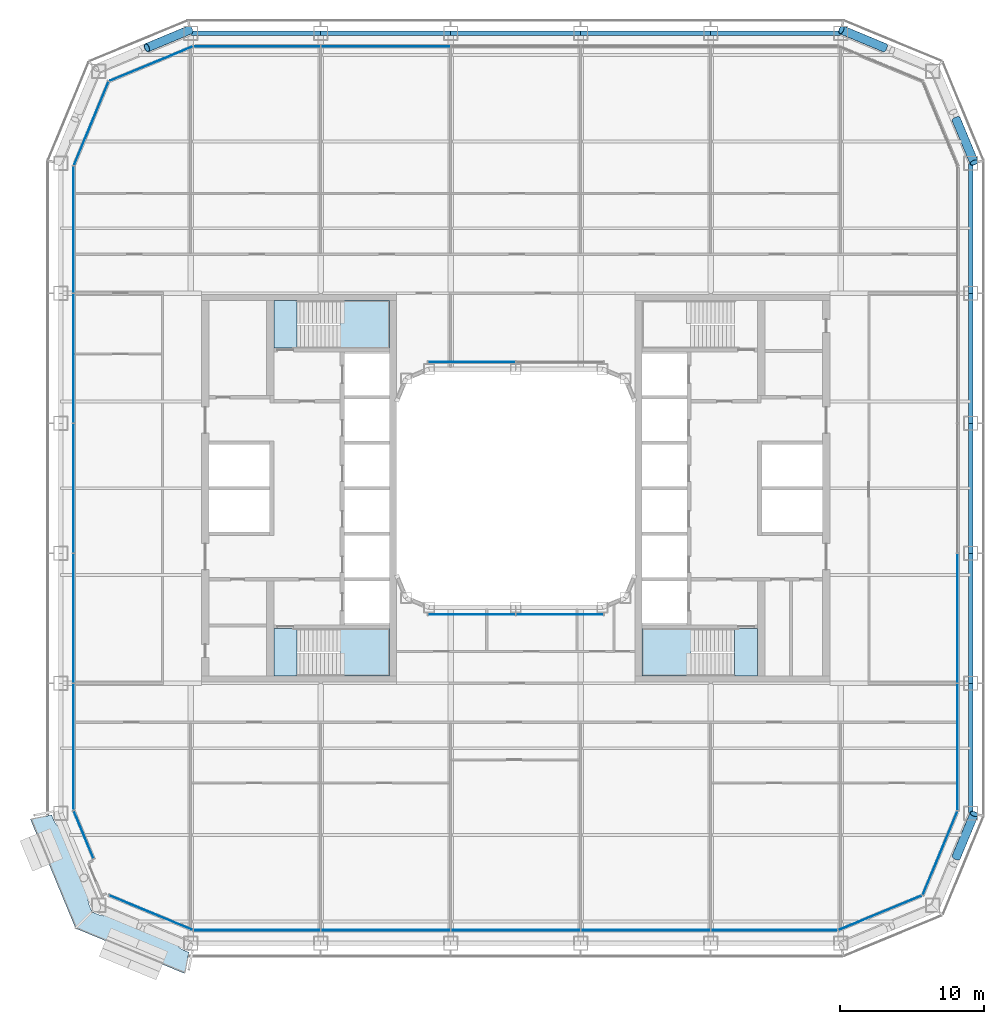
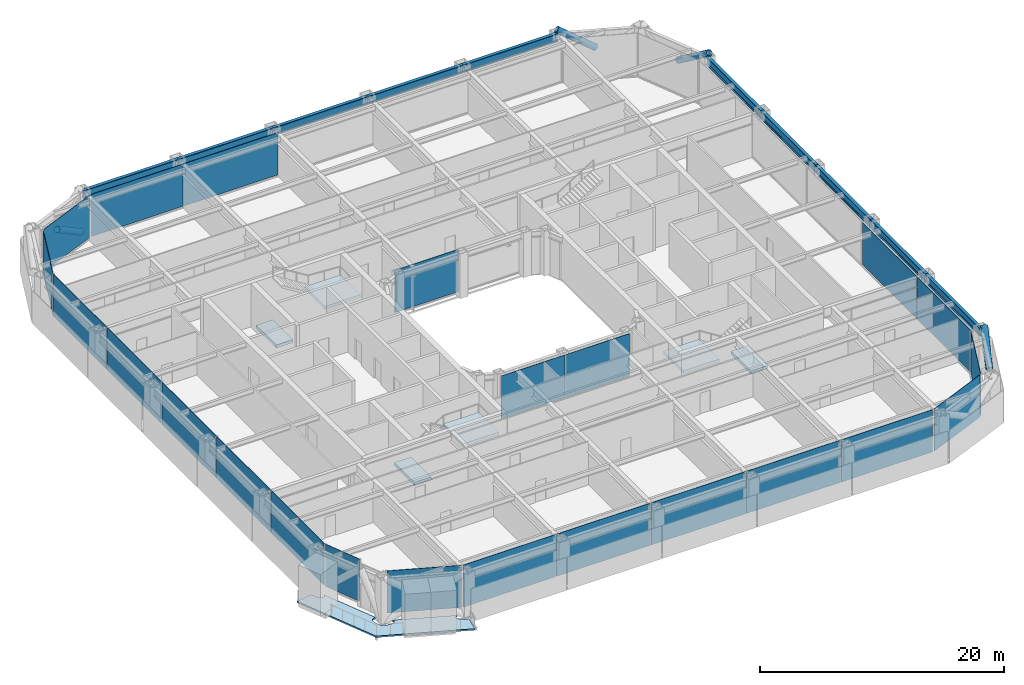
# One storey, part 11 of 27: 23 plates, 10 beams, 7 slabs, 4 members, 15 elements without a shape of their own.
"""IFC4 building model written with IfcOpenShell, lengths in metres."""

from ifc_helpers import new_model, si_unit, direction, frame, origin, origin_2d, place, context, subcontext, project, spatial, polyline, rectangle, hollow_circle, i_section, outline, extrude, material, layer, layer_set, material_profile, profile_set, type_object, element, aggregate, save


model = new_model("IFC4")

# Units and contexts
model_context = context("Model", 3, precision=1e-05, world=origin(), true_north=direction((0.0, 1.0)))
body_context = subcontext(model_context, "Body", "Model", "MODEL_VIEW")
ifc_project = project(units=[si_unit("LENGTHUNIT", "METRE"), si_unit("AREAUNIT", "SQUARE_METRE"), si_unit("VOLUMEUNIT", "CUBIC_METRE"), si_unit("PLANEANGLEUNIT", "RADIAN"), si_unit("MASSUNIT", "GRAM", prefix="KILO")], contexts=[model_context])

# Site, building, storey
site_placement = place(None, origin())
site = spatial("IfcSite", under=ifc_project, at=site_placement, CompositionType="ELEMENT")
building_placement = place(site_placement, origin())
building = spatial("IfcBuilding", under=site, at=building_placement, Name="Siwar Civic Tower", CompositionType="ELEMENT")
storey_placement = place(building_placement, frame((0.0, 0.0, 71.699951171875)))
storey = spatial("IfcBuildingStorey", under=building, at=storey_placement, Name="L15", CompositionType="ELEMENT", Elevation=71.699951171875)

# Members
ifc_material_1 = material(Name="Steel S355", Category="steel")
ifc_material_profile_1 = material_profile(ifc_material_1, hollow_circle(Radius=0.304931640625, WallThickness=0.030029296875, at=origin_2d()), Name="CHS610x30")
ifc_profile_set_1 = profile_set([ifc_material_profile_1], Name="Steel S355")
member_type = type_object("IfcMemberType", Name="STR-BR-CHS610x30", PredefinedType="BRACE", material=ifc_profile_set_1)
for number, where, z_axis, x_axis, name in (
    (1, (30.500244140625, -25.537353515625, 2.428466796875), (0.3238932121, 0.777559680196, 0.53897507446), (-0.923114847559, 0.384524353215, 0.0), "L15/brc/ASE1-14-0-3"),
    (2, (25.537353515625, 30.500244140625, 2.428466796875), (-0.777559680196, 0.3238932121, 0.53897507446), (-0.384524353215, -0.923114847559, 0.0), "L15/brc/ANE1-14-0-3"),
    (3, (30.500244140625, 25.537353515625, 2.428466796875), (0.3238932121, -0.777559680196, 0.53897507446), (0.923114847559, 0.384524353215, 0.0), "L15/brc/ANE1-14-0-5"),
    (4, (-22.548828125, 31.7451171875, 0.0), (-0.777533059308, -0.323882123145, 0.539020140617), (0.384524353215, -0.923114847559, 0.0), "L15/brc/ANW1-14-0-4"),
):
    element("IfcMember", number, at=place(storey_placement, frame(where, z_axis=z_axis, x_axis=x_axis)), inside=storey, type_object=member_type, Name=name, PredefinedType="BRACE", context=body_context, shape_type="SweptSolid", body=[
        extrude(hollow_circle(Radius=0.304931640625, WallThickness=0.030029296875, at=origin_2d()), origin(), (0.0, 0.0, 1.0), 3.843505859375),
    ])

# Beams
ifc_material_2 = material(Name="Steel S355", Category="steel")
ifc_material_profile_2 = material_profile(ifc_material_2, i_section(OverallWidth=0.302978515625, OverallDepth=0.81396484375, WebThickness=0.02099609375, FlangeThickness=0.0400390625, FilletRadius=0.030029296875, at=origin_2d()), Name="HEM800")
ifc_profile_set_2 = profile_set([ifc_material_profile_2], Name="Steel S355")
beam_type = type_object("IfcBeamType", Name="STR-SB-HEM800", PredefinedType="BEAM", material=ifc_profile_set_2)
for number, where, z_axis, x_axis, name in (
    (5, (31.5, -22.5, 3.943115234375), (0.0, 1.0, 0.0), (-1.0, 0.0, 0.0), "L15/bm/SE-0"),
    (6, (31.5, -13.5, 3.943115234375), (0.0, 1.0, 0.0), (-1.0, 0.0, 0.0), "L15/bm/SE-1"),
    (7, (31.5, -4.5, 3.943115234375), (0.0, 1.0, 0.0), (-1.0, 0.0, 0.0), "L15/bm/SE-2"),
    (8, (31.5, 4.5, 3.943115234375), (0.0, 1.0, 0.0), (-1.0, 0.0, 0.0), "L15/bm/SE-3"),
    (9, (31.5, 13.5, 3.943115234375), (0.0, 1.0, 0.0), (-1.0, 0.0, 0.0), "L15/bm/SE-4"),
    (10, (22.5, 31.5, 3.943115234375), (-1.0, 0.0, 0.0), (0.0, -1.0, 0.0), "L15/bm/SN-0"),
    (11, (13.5, 31.5, 3.943115234375), (-1.0, 0.0, 0.0), (0.0, -1.0, 0.0), "L15/bm/SN-1"),
    (12, (4.5, 31.5, 3.943115234375), (-1.0, 0.0, 0.0), (0.0, -1.0, 0.0), "L15/bm/SN-2"),
    (13, (-4.5, 31.5, 3.943115234375), (-1.0, 0.0, 0.0), (0.0, -1.0, 0.0), "L15/bm/SN-3"),
    (14, (-13.5, 31.5, 3.943115234375), (-1.0, 0.0, 0.0), (0.0, -1.0, 0.0), "L15/bm/SN-4"),
):
    element("IfcBeam", number, at=place(storey_placement, frame(where, z_axis=z_axis, x_axis=x_axis)), inside=storey, type_object=beam_type, Name=name, PredefinedType="BEAM", context=body_context, shape_type="SweptSolid", body=[
        extrude(i_section(OverallWidth=0.302978515625, OverallDepth=0.81396484375, WebThickness=0.02099609375, FlangeThickness=0.0400390625, FilletRadius=0.030029296875, at=origin_2d()), origin(), (0.0, 0.0, 1.0), 9.0),
    ])

# Stair, slabs
ifc_material_3 = material(Name="Concrete C40/50", Category="concrete")
stair_type = type_object("IfcStairType", Name="CORE-STAIR", PredefinedType="TWO_STRAIGHT_RUN_STAIR", material=ifc_material_3)
stair_1_placement = place(storey_placement, origin())
stair_1 = element("IfcStair", 15, at=stair_1_placement, inside=storey, type_object=stair_type, Name="Exit stair ST1", PredefinedType="TWO_STRAIGHT_RUN_STAIR")
ifc_material_4 = material(Name="Concrete C40/50", Category="concrete")
ifc_layer_1 = layer(ifc_material_4, 0.300048828125)
ifc_layer_set_1 = layer_set([ifc_layer_1], Name="Concrete C40/50")
slab_type_1 = type_object("IfcSlabType", Name="CORE-STAIR-LANDING", PredefinedType="LANDING", material=ifc_layer_set_1)
slab_1_placement = place(storey_placement, frame((0.0, 0.0, -0.300048828125)))
slab_1 = element("IfcSlab", 16, at=slab_1_placement, type_object=slab_type_1, Name="ST1 landing 1", PredefinedType="LANDING", context=body_context, shape_type="SweptSolid", body=[
    extrude(outline(polyline([(-15.14990234375, 13.0), (-16.75, 13.0), (-16.75, 9.699951171875), (-15.14990234375, 9.699951171875), (-15.14990234375, 13.0)])), origin(), (0.0, 0.0, 1.0), 0.300048828125),
])
slab_2_placement = place(storey_placement, frame((0.0, 0.0, 1.949951171875)))
slab_2 = element("IfcSlab", 17, at=slab_2_placement, type_object=slab_type_1, Name="ST1 landing 2", PredefinedType="LANDING", context=body_context, shape_type="SweptSolid", body=[
    extrude(outline(polyline([(-8.75, 13.0), (-12.139892578125, 13.0), (-12.139892578125, 9.699951171875), (-8.75, 9.699951171875), (-8.75, 13.0)])), origin(), (0.0, 0.0, 1.0), 0.300048828125),
])
aggregate(stair_1, [slab_1, slab_2])

stair_2_placement = place(storey_placement, origin())
stair_2 = element("IfcStair", 18, at=stair_2_placement, inside=storey, type_object=stair_type, Name="Exit stair ST2", PredefinedType="TWO_STRAIGHT_RUN_STAIR")
slab_3_placement = place(storey_placement, frame((0.0, 0.0, -0.300048828125)))
slab_3 = element("IfcSlab", 19, at=slab_3_placement, type_object=slab_type_1, Name="ST2 landing 1", PredefinedType="LANDING", context=body_context, shape_type="SweptSolid", body=[
    extrude(outline(polyline([(-15.14990234375, -9.699951171875), (-16.75, -9.699951171875), (-16.75, -13.0), (-15.14990234375, -13.0), (-15.14990234375, -9.699951171875)])), origin(), (0.0, 0.0, 1.0), 0.300048828125),
])
slab_4_placement = place(storey_placement, frame((0.0, 0.0, 1.949951171875)))
slab_4 = element("IfcSlab", 20, at=slab_4_placement, type_object=slab_type_1, Name="ST2 landing 2", PredefinedType="LANDING", context=body_context, shape_type="SweptSolid", body=[
    extrude(outline(polyline([(-8.75, -9.699951171875), (-12.139892578125, -9.699951171875), (-12.139892578125, -13.0), (-8.75, -13.0), (-8.75, -9.699951171875)])), origin(), (0.0, 0.0, 1.0), 0.300048828125),
])
aggregate(stair_2, [slab_3, slab_4])

stair_3_placement = place(storey_placement, origin())
stair_3 = element("IfcStair", 21, at=stair_3_placement, inside=storey, type_object=stair_type, Name="Exit stair ST4", PredefinedType="TWO_STRAIGHT_RUN_STAIR")
slab_5_placement = place(storey_placement, frame((0.0, 0.0, -0.300048828125)))
slab_5 = element("IfcSlab", 22, at=slab_5_placement, type_object=slab_type_1, Name="ST4 landing 1", PredefinedType="LANDING", context=body_context, shape_type="SweptSolid", body=[
    extrude(outline(polyline([(15.14990234375, -13.0), (16.75, -13.0), (16.75, -9.699951171875), (15.14990234375, -9.699951171875), (15.14990234375, -13.0)])), origin(), (0.0, 0.0, 1.0), 0.300048828125),
])
slab_6_placement = place(storey_placement, frame((0.0, 0.0, 1.949951171875)))
slab_6 = element("IfcSlab", 23, at=slab_6_placement, type_object=slab_type_1, Name="ST4 landing 2", PredefinedType="LANDING", context=body_context, shape_type="SweptSolid", body=[
    extrude(outline(polyline([(8.75, -13.0), (12.139892578125, -13.0), (12.139892578125, -9.699951171875), (8.75, -9.699951171875), (8.75, -13.0)])), origin(), (0.0, 0.0, 1.0), 0.300048828125),
])
aggregate(stair_3, [slab_5, slab_6])

# Slab
ifc_material_5 = material(Name="Concrete C40/50", Category="concrete")
ifc_layer_2 = layer(ifc_material_5, 0.14990234375)
ifc_layer_set_2 = layer_set([ifc_layer_2], Name="Concrete C40/50")
slab_type_2 = type_object("IfcSlabType", Name="ENV-BALCONY DECK 150", PredefinedType="FLOOR", material=ifc_layer_set_2)
slab_7_placement = place(storey_placement, frame((0.0, 0.0, -0.1494140625)))
element("IfcSlab", 24, at=slab_7_placement, inside=storey, type_object=slab_type_2, Name="Tree balcony deck SW", PredefinedType="FLOOR", context=body_context, shape_type="SweptSolid", body=[
    extrude(outline(polyline([(-29.220703125, -29.37255859375), (-29.22119140625, -29.3720703125), (-29.22265625, -29.370849609375), (-29.2255859375, -29.36865234375), (-29.226806640625, -29.367431640625), (-29.227783203125, -29.36669921875), (-29.230712890625, -29.364013671875), (-29.364013671875, -29.364013671875), (-29.364013671875, -29.238037109375), (-29.367431640625, -29.233154296875), (-29.373046875, -29.2236328125), (-29.38916015625, -29.19189453125), (-29.3916015625, -29.186767578125), (-29.3916015625, -29.186767578125), (-29.39794921875, -29.17138671875), (-29.40771484375, -29.14794921875), (-29.498291015625, -28.9306640625), (-29.514404296875, -28.891845703125), (-29.517578125, -28.884033203125), (-29.5185546875, -28.881591796875), (-29.5439453125, -28.814208984375), (-29.545654296875, -28.80908203125), (-29.56591796875, -28.739990234375), (-29.567138671875, -28.73486328125), (-29.58251953125, -28.66455078125), (-29.583984375, -28.6572265625), (-29.591064453125, -28.59375), (-29.59130859375, -28.59130859375), (-29.59716796875, -28.51953125), (-29.597412109375, -28.51318359375), (-29.59716796875, -28.506591796875), (-29.592041015625, -28.45068359375), (-29.59130859375, -28.445068359375), (-29.58203125, -28.389404296875), (-29.5810546875, -28.38427734375), (-29.56787109375, -28.32958984375), (-29.566162109375, -28.3232421875), (-29.56396484375, -28.3173828125), (-29.544189453125, -28.271484375), (-29.540771484375, -28.264404296875), (-29.53662109375, -28.2578125), (-29.5107421875, -28.221435546875), (-29.507080078125, -28.216552734375), (-29.502685546875, -28.2119140625), (-29.498291015625, -28.20751953125), (-29.467041015625, -28.180908203125), (-29.46142578125, -28.1767578125), (-29.45556640625, -28.173095703125), (-29.449462890625, -28.169921875), (-29.413330078125, -28.1533203125), (-29.408447265625, -28.151123046875), (-29.37109375, -28.13720703125), (-29.364501953125, -28.135009765625), (-29.35791015625, -28.133544921875), (-29.35107421875, -28.132568359375), (-29.31005859375, -28.129150390625), (-29.3037109375, -28.12890625), (-29.297607421875, -28.129150390625), (-29.29150390625, -28.1298828125), (-29.247314453125, -28.137451171875), (-29.23974609375, -28.13916015625), (-29.232177734375, -28.1416015625), (-29.185791015625, -28.159912109375), (-29.179931640625, -28.16259765625), (-29.17431640625, -28.16552734375), (-29.14599609375, -28.182861328125), (-31.20556640625, -23.210693359375), (-31.217529296875, -23.260986328125), (-31.21923828125, -23.26708984375), (-31.2216796875, -23.273193359375), (-31.2412109375, -23.31884765625), (-31.244873046875, -23.325927734375), (-31.2490234375, -23.332763671875), (-31.274658203125, -23.369140625), (-31.278564453125, -23.3740234375), (-31.28271484375, -23.378662109375), (-31.287353515625, -23.3828125), (-31.318603515625, -23.40966796875), (-31.323974609375, -23.413818359375), (-31.329833984375, -23.41748046875), (-31.3359375, -23.420654296875), (-31.3720703125, -23.437255859375), (-31.376953125, -23.439453125), (-31.414306640625, -23.453369140625), (-31.4208984375, -23.45556640625), (-31.427734375, -23.45703125), (-31.4345703125, -23.4580078125), (-31.4755859375, -23.46142578125), (-31.481689453125, -23.461669921875), (-31.488037109375, -23.461181640625), (-31.494140625, -23.46044921875), (-31.5380859375, -23.453125), (-31.5458984375, -23.451416015625), (-31.55322265625, -23.448974609375), (-31.599609375, -23.4306640625), (-31.60546875, -23.427978515625), (-31.611083984375, -23.4248046875), (-31.659423828125, -23.3955078125), (-31.66357421875, -23.392578125), (-31.709716796875, -23.360107421875), (-31.717529296875, -23.353515625), (-31.764404296875, -23.309814453125), (-31.76806640625, -23.30615234375), (-31.8115234375, -23.25927734375), (-31.815185546875, -23.255126953125), (-31.85498046875, -23.205322265625), (-31.859619140625, -23.198974609375), (-31.898681640625, -23.138671875), (-31.9013671875, -23.134033203125), (-31.93603515625, -23.07080078125), (-31.9384765625, -23.06591796875), (-31.968505859375, -23.0), (-32.0, -23.0), (-32.0, -22.92529296875), (-32.0927734375, -22.70263671875), (-32.095947265625, -22.69482421875), (-32.095947265625, -22.69482421875), (-32.098388671875, -22.688232421875), (-32.1064453125, -22.662109375), (-32.108154296875, -22.6552734375), (-32.109375, -22.648193359375), (-32.1123046875, -22.621826171875), (-33.60009765625, -22.917724609375), (-30.47119140625, -30.47119140625), (-22.917724609375, -33.60009765625), (-22.62109375, -32.1083984375), (-22.6259765625, -32.1083984375), (-22.6484375, -32.107421875), (-22.649658203125, -32.107421875), (-22.6513671875, -32.107421875), (-22.655029296875, -32.10693359375), (-22.656982421875, -32.106689453125), (-22.65771484375, -32.1064453125), (-22.658447265625, -32.1064453125), (-22.66552734375, -32.104736328125), (-22.686279296875, -32.098876953125), (-22.69482421875, -32.095947265625), (-22.70263671875, -32.0927734375), (-22.719970703125, -32.085693359375), (-22.72607421875, -32.0830078125), (-22.749267578125, -32.0732421875), (-22.7587890625, -32.0693359375), (-22.92529296875, -32.0), (-23.0, -32.0), (-23.0, -31.968505859375), (-23.06591796875, -31.9384765625), (-23.07080078125, -31.93603515625), (-23.134033203125, -31.9013671875), (-23.138671875, -31.898681640625), (-23.198974609375, -31.859619140625), (-23.205322265625, -31.85498046875), (-23.255126953125, -31.815185546875), (-23.25927734375, -31.8115234375), (-23.30615234375, -31.76806640625), (-23.309814453125, -31.764404296875), (-23.353515625, -31.717529296875), (-23.360107421875, -31.709716796875), (-23.392578125, -31.66357421875), (-23.3955078125, -31.659423828125), (-23.4248046875, -31.611083984375), (-23.427978515625, -31.60546875), (-23.4306640625, -31.599609375), (-23.448974609375, -31.55322265625), (-23.451416015625, -31.5458984375), (-23.453125, -31.5380859375), (-23.46044921875, -31.494140625), (-23.461181640625, -31.488037109375), (-23.461669921875, -31.481689453125), (-23.46142578125, -31.4755859375), (-23.4580078125, -31.4345703125), (-23.45703125, -31.427734375), (-23.45556640625, -31.4208984375), (-23.453369140625, -31.414306640625), (-23.439453125, -31.376953125), (-23.437255859375, -31.3720703125), (-23.420654296875, -31.3359375), (-23.41748046875, -31.329833984375), (-23.413818359375, -31.323974609375), (-23.40966796875, -31.318603515625), (-23.3828125, -31.287353515625), (-23.378662109375, -31.28271484375), (-23.3740234375, -31.278564453125), (-23.369140625, -31.274658203125), (-23.332763671875, -31.2490234375), (-23.325927734375, -31.244873046875), (-23.31884765625, -31.2412109375), (-23.273193359375, -31.2216796875), (-23.26708984375, -31.21923828125), (-23.260986328125, -31.217529296875), (-23.210693359375, -31.20556640625), (-28.182861328125, -29.14599609375), (-28.16552734375, -29.17431640625), (-28.16259765625, -29.179931640625), (-28.159912109375, -29.185791015625), (-28.1416015625, -29.232177734375), (-28.13916015625, -29.23974609375), (-28.137451171875, -29.247314453125), (-28.1298828125, -29.29150390625), (-28.129150390625, -29.297607421875), (-28.12890625, -29.3037109375), (-28.129150390625, -29.31005859375), (-28.132568359375, -29.35107421875), (-28.133544921875, -29.35791015625), (-28.135009765625, -29.364501953125), (-28.13720703125, -29.37109375), (-28.151123046875, -29.408447265625), (-28.1533203125, -29.413330078125), (-28.169921875, -29.449462890625), (-28.173095703125, -29.45556640625), (-28.1767578125, -29.46142578125), (-28.180908203125, -29.467041015625), (-28.20751953125, -29.498291015625), (-28.2119140625, -29.502685546875), (-28.216552734375, -29.507080078125), (-28.221435546875, -29.5107421875), (-28.2578125, -29.53662109375), (-28.264404296875, -29.540771484375), (-28.271484375, -29.544189453125), (-28.3173828125, -29.56396484375), (-28.3232421875, -29.566162109375), (-28.32958984375, -29.56787109375), (-28.38427734375, -29.5810546875), (-28.389404296875, -29.58203125), (-28.445068359375, -29.59130859375), (-28.45068359375, -29.592041015625), (-28.506591796875, -29.59716796875), (-28.51318359375, -29.597412109375), (-28.51953125, -29.59716796875), (-28.59130859375, -29.59130859375), (-28.59375, -29.591064453125), (-28.6572265625, -29.583984375), (-28.66455078125, -29.58251953125), (-28.73486328125, -29.567138671875), (-28.739990234375, -29.56591796875), (-28.80908203125, -29.545654296875), (-28.814208984375, -29.5439453125), (-28.881591796875, -29.5185546875), (-28.884033203125, -29.517578125), (-28.891845703125, -29.514404296875), (-28.9306640625, -29.498291015625), (-29.107666015625, -29.424560546875), (-29.116943359375, -29.420654296875), (-29.14794921875, -29.40771484375), (-29.17138671875, -29.39794921875), (-29.186767578125, -29.3916015625), (-29.195068359375, -29.387451171875), (-29.2138671875, -29.376953125), (-29.219970703125, -29.373046875), (-29.220703125, -29.37255859375)])), origin(), (0.0, 0.0, 1.0), 0.1494140625),
])

# Curtain wall, plates
ifc_material_6 = material(Name="Aluminium and glass", Category="aluminium")
ifc_layer_3 = layer(ifc_material_6, 0.219970703125)
ifc_layer_set_3 = layer_set([ifc_layer_3], Name="Aluminium and glass")
curtain_wall_type_1 = type_object("IfcCurtainWallType", Name="ENV-CW-A", PredefinedType="NOTDEFINED", material=ifc_layer_set_3)
curtain_wall_1_placement = place(storey_placement, origin())
curtain_wall_1 = element("IfcCurtainWall", 25, at=curtain_wall_1_placement, inside=storey, type_object=curtain_wall_type_1, Name="Curtain wall A S", PredefinedType="NOTDEFINED")
ifc_material_7 = material(Name="Glass clear laminated", Category="glass")
ifc_layer_4 = layer(ifc_material_7, 0.035888671875)
ifc_layer_set_4 = layer_set([ifc_layer_4], Name="Glass clear laminated")
plate_type_1 = type_object("IfcPlateType", Name="ENV-PANEL-A", PredefinedType="CURTAIN_PANEL", material=ifc_layer_set_4)
plate_1_placement = place(storey_placement, frame((-17.910400390625, -30.60009765625, 0.1201171875), z_axis=(0.0, 0.0, 1.0), x_axis=(1.0, 0.0, 0.0)))
plate_1 = element("IfcPlate", 26, at=plate_1_placement, type_object=plate_type_1, Name="Curtain panel A S 1", PredefinedType="CURTAIN_PANEL", context=body_context, shape_type="SweptSolid", body=[
    extrude(rectangle(XDim=8.7509765625, YDim=0.035888671875, at=origin_2d()), origin(), (0.0, 0.0, 1.0), 4.22998046875),
])
plate_2_placement = place(storey_placement, frame((-9.0, -30.60009765625, 0.1201171875), z_axis=(0.0, 0.0, 1.0), x_axis=(1.0, 0.0, 0.0)))
plate_2 = element("IfcPlate", 27, at=plate_2_placement, type_object=plate_type_1, Name="Curtain panel A S 2", PredefinedType="CURTAIN_PANEL", context=body_context, shape_type="SweptSolid", body=[
    extrude(rectangle(XDim=8.929931640625, YDim=0.035888671875, at=origin_2d()), origin(), (0.0, 0.0, 1.0), 4.22998046875),
])
plate_3_placement = place(storey_placement, frame((0.0, -30.60009765625, 0.1201171875), z_axis=(0.0, 0.0, 1.0), x_axis=(1.0, 0.0, 0.0)))
plate_3 = element("IfcPlate", 28, at=plate_3_placement, type_object=plate_type_1, Name="Curtain panel A S 3", PredefinedType="CURTAIN_PANEL", context=body_context, shape_type="SweptSolid", body=[
    extrude(rectangle(XDim=8.929931640625, YDim=0.035888671875, at=origin_2d()), origin(), (0.0, 0.0, 1.0), 4.22998046875),
])
plate_4_placement = place(storey_placement, frame((9.0, -30.60009765625, 0.1201171875), z_axis=(0.0, 0.0, 1.0), x_axis=(1.0, 0.0, 0.0)))
plate_4 = element("IfcPlate", 29, at=plate_4_placement, type_object=plate_type_1, Name="Curtain panel A S 4", PredefinedType="CURTAIN_PANEL", context=body_context, shape_type="SweptSolid", body=[
    extrude(rectangle(XDim=8.929931640625, YDim=0.035888671875, at=origin_2d()), origin(), (0.0, 0.0, 1.0), 4.22998046875),
])
plate_5_placement = place(storey_placement, frame((17.86669921875, -30.60009765625, 0.1201171875), z_axis=(0.0, 0.0, 1.0), x_axis=(1.0, 0.0, 0.0)))
plate_5 = element("IfcPlate", 30, at=plate_5_placement, type_object=plate_type_1, Name="Curtain panel A S 5", PredefinedType="CURTAIN_PANEL", context=body_context, shape_type="SweptSolid", body=[
    extrude(rectangle(XDim=8.663330078125, YDim=0.035888671875, at=origin_2d()), origin(), (0.0, 0.0, 1.0), 4.22998046875),
])
aggregate(curtain_wall_1, [plate_1, plate_2, plate_3, plate_4, plate_5])

curtain_wall_2_placement = place(storey_placement, origin())
curtain_wall_2 = element("IfcCurtainWall", 31, at=curtain_wall_2_placement, inside=storey, type_object=curtain_wall_type_1, Name="Curtain wall A E", PredefinedType="NOTDEFINED")
plate_6_placement = place(storey_placement, frame((30.60009765625, -17.910400390625, 0.1201171875), z_axis=(0.0, 0.0, 1.0), x_axis=(0.0, 1.0, 0.0)))
plate_6 = element("IfcPlate", 32, at=plate_6_placement, type_object=plate_type_1, Name="Curtain panel A E 1", PredefinedType="CURTAIN_PANEL", context=body_context, shape_type="SweptSolid", body=[
    extrude(rectangle(XDim=8.7509765625, YDim=0.035888671875, at=origin_2d()), origin(), (0.0, 0.0, 1.0), 4.22998046875),
])
plate_7_placement = place(storey_placement, frame((30.60009765625, -9.0, 0.1201171875), z_axis=(0.0, 0.0, 1.0), x_axis=(0.0, 1.0, 0.0)))
plate_7 = element("IfcPlate", 33, at=plate_7_placement, type_object=plate_type_1, Name="Curtain panel A E 2", PredefinedType="CURTAIN_PANEL", context=body_context, shape_type="SweptSolid", body=[
    extrude(rectangle(XDim=8.929931640625, YDim=0.035888671875, at=origin_2d()), origin(), (0.0, 0.0, 1.0), 4.22998046875),
])
aggregate(curtain_wall_2, [plate_6, plate_7])

curtain_wall_3_placement = place(storey_placement, origin())
curtain_wall_3 = element("IfcCurtainWall", 34, at=curtain_wall_3_placement, inside=storey, type_object=curtain_wall_type_1, Name="Curtain wall A N", PredefinedType="NOTDEFINED")
plate_8_placement = place(storey_placement, frame((-9.0, 30.60009765625, 0.1201171875), z_axis=(0.0, 0.0, 1.0), x_axis=(-1.0, 0.0, 0.0)))
plate_8 = element("IfcPlate", 35, at=plate_8_placement, type_object=plate_type_1, Name="Curtain panel A N 4", PredefinedType="CURTAIN_PANEL", context=body_context, shape_type="SweptSolid", body=[
    extrude(rectangle(XDim=8.929931640625, YDim=0.035888671875, at=origin_2d()), origin(), (0.0, 0.0, 1.0), 4.22998046875),
])
plate_9_placement = place(storey_placement, frame((-17.86669921875, 30.60009765625, 0.1201171875), z_axis=(0.0, 0.0, 1.0), x_axis=(-1.0, 0.0, 0.0)))
plate_9 = element("IfcPlate", 36, at=plate_9_placement, type_object=plate_type_1, Name="Curtain panel A N 5", PredefinedType="CURTAIN_PANEL", context=body_context, shape_type="SweptSolid", body=[
    extrude(rectangle(XDim=8.663330078125, YDim=0.035888671875, at=origin_2d()), origin(), (0.0, 0.0, 1.0), 4.22998046875),
])
aggregate(curtain_wall_3, [plate_8, plate_9])

curtain_wall_4_placement = place(storey_placement, origin())
curtain_wall_4 = element("IfcCurtainWall", 37, at=curtain_wall_4_placement, inside=storey, type_object=curtain_wall_type_1, Name="Curtain wall A W", PredefinedType="NOTDEFINED")
plate_10_placement = place(storey_placement, frame((-30.60009765625, 17.910400390625, 0.1201171875), z_axis=(0.0, 0.0, 1.0), x_axis=(0.0, -1.0, 0.0)))
plate_10 = element("IfcPlate", 38, at=plate_10_placement, type_object=plate_type_1, Name="Curtain panel A W 1", PredefinedType="CURTAIN_PANEL", context=body_context, shape_type="SweptSolid", body=[
    extrude(rectangle(XDim=8.7509765625, YDim=0.035888671875, at=origin_2d()), origin(), (0.0, 0.0, 1.0), 4.22998046875),
])
plate_11_placement = place(storey_placement, frame((-30.60009765625, 9.0, 0.1201171875), z_axis=(0.0, 0.0, 1.0), x_axis=(0.0, -1.0, 0.0)))
plate_11 = element("IfcPlate", 39, at=plate_11_placement, type_object=plate_type_1, Name="Curtain panel A W 2", PredefinedType="CURTAIN_PANEL", context=body_context, shape_type="SweptSolid", body=[
    extrude(rectangle(XDim=8.929931640625, YDim=0.035888671875, at=origin_2d()), origin(), (0.0, 0.0, 1.0), 4.22998046875),
])
plate_12_placement = place(storey_placement, frame((-30.60009765625, 0.0, 0.1201171875), z_axis=(0.0, 0.0, 1.0), x_axis=(0.0, -1.0, 0.0)))
plate_12 = element("IfcPlate", 40, at=plate_12_placement, type_object=plate_type_1, Name="Curtain panel A W 3", PredefinedType="CURTAIN_PANEL", context=body_context, shape_type="SweptSolid", body=[
    extrude(rectangle(XDim=8.929931640625, YDim=0.035888671875, at=origin_2d()), origin(), (0.0, 0.0, 1.0), 4.22998046875),
])
plate_13_placement = place(storey_placement, frame((-30.60009765625, -9.0, 0.1201171875), z_axis=(0.0, 0.0, 1.0), x_axis=(0.0, -1.0, 0.0)))
plate_13 = element("IfcPlate", 41, at=plate_13_placement, type_object=plate_type_1, Name="Curtain panel A W 4", PredefinedType="CURTAIN_PANEL", context=body_context, shape_type="SweptSolid", body=[
    extrude(rectangle(XDim=8.929931640625, YDim=0.035888671875, at=origin_2d()), origin(), (0.0, 0.0, 1.0), 4.22998046875),
])
plate_14_placement = place(storey_placement, frame((-30.60009765625, -17.86669921875, 0.1201171875), z_axis=(0.0, 0.0, 1.0), x_axis=(0.0, -1.0, 0.0)))
plate_14 = element("IfcPlate", 42, at=plate_14_placement, type_object=plate_type_1, Name="Curtain panel A W 5", PredefinedType="CURTAIN_PANEL", context=body_context, shape_type="SweptSolid", body=[
    extrude(rectangle(XDim=8.663330078125, YDim=0.035888671875, at=origin_2d()), origin(), (0.0, 0.0, 1.0), 4.22998046875),
])
aggregate(curtain_wall_4, [plate_10, plate_11, plate_12, plate_13, plate_14])

# Curtain wall, plate
ifc_material_8 = material(Name="Aluminium clad insulated panel", Category="aluminium")
ifc_layer_5 = layer(ifc_material_8, 0.219970703125)
ifc_layer_set_5 = layer_set([ifc_layer_5], Name="Aluminium clad insulated panel")
curtain_wall_type_2 = type_object("IfcCurtainWallType", Name="ENV-CW-AX", PredefinedType="NOTDEFINED", material=ifc_layer_set_5)
curtain_wall_5_placement = place(storey_placement, origin())
curtain_wall_5 = element("IfcCurtainWall", 43, at=curtain_wall_5_placement, inside=storey, type_object=curtain_wall_type_2, Name="Curtain wall A SE1", PredefinedType="NOTDEFINED")
ifc_material_9 = material(Name="Aluminium clad insulated panel", Category="aluminium")
ifc_layer_6 = layer(ifc_material_9, 0.035888671875)
ifc_layer_set_6 = layer_set([ifc_layer_6], Name="Aluminium clad insulated panel")
plate_type_2 = type_object("IfcPlateType", Name="ENV-PANEL-AX", PredefinedType="CURTAIN_PANEL", material=ifc_layer_set_6)
plate_15_placement = place(storey_placement, frame((25.20751953125, -29.404296875, 0.1201171875), z_axis=(0.0, 0.0, 1.0), x_axis=(0.923879532511, 0.382683432365, 0.0)))
plate_15 = element("IfcPlate", 44, at=plate_15_placement, type_object=plate_type_2, Name="Curtain panel A SE1 1", PredefinedType="CURTAIN_PANEL", context=body_context, shape_type="SweptSolid", body=[
    extrude(rectangle(XDim=6.178955078125, YDim=0.035888671875, at=origin_2d()), origin(), (0.0, 0.0, 1.0), 4.22998046875),
])
aggregate(curtain_wall_5, [plate_15])

curtain_wall_6_placement = place(storey_placement, origin())
curtain_wall_6 = element("IfcCurtainWall", 45, at=curtain_wall_6_placement, inside=storey, type_object=curtain_wall_type_2, Name="Curtain wall A SE2", PredefinedType="NOTDEFINED")
plate_16_placement = place(storey_placement, frame((29.370849609375, -25.28857421875, 0.1201171875), z_axis=(0.0, 0.0, 1.0), x_axis=(0.382683432365, 0.923879532511, 0.0)))
plate_16 = element("IfcPlate", 46, at=plate_16_placement, type_object=plate_type_2, Name="Curtain panel A SE2 1", PredefinedType="CURTAIN_PANEL", context=body_context, shape_type="SweptSolid", body=[
    extrude(rectangle(XDim=6.178955078125, YDim=0.035888671875, at=origin_2d()), origin(), (0.0, 0.0, 1.0), 4.22998046875),
])
aggregate(curtain_wall_6, [plate_16])

curtain_wall_7_placement = place(storey_placement, origin())
curtain_wall_7 = element("IfcCurtainWall", 47, at=curtain_wall_7_placement, inside=storey, type_object=curtain_wall_type_2, Name="Curtain wall A NW1", PredefinedType="NOTDEFINED")
plate_17_placement = place(storey_placement, frame((-25.20751953125, 29.404296875, 0.1201171875), z_axis=(0.0, 0.0, 1.0), x_axis=(-0.923879532511, -0.382683432365, 0.0)))
plate_17 = element("IfcPlate", 48, at=plate_17_placement, type_object=plate_type_2, Name="Curtain panel A NW1 1", PredefinedType="CURTAIN_PANEL", context=body_context, shape_type="SweptSolid", body=[
    extrude(rectangle(XDim=6.178955078125, YDim=0.035888671875, at=origin_2d()), origin(), (0.0, 0.0, 1.0), 4.22998046875),
])
aggregate(curtain_wall_7, [plate_17])

curtain_wall_8_placement = place(storey_placement, origin())
curtain_wall_8 = element("IfcCurtainWall", 49, at=curtain_wall_8_placement, inside=storey, type_object=curtain_wall_type_2, Name="Curtain wall A NW2", PredefinedType="NOTDEFINED")
plate_18_placement = place(storey_placement, frame((-29.370849609375, 25.28857421875, 0.1201171875), z_axis=(0.0, 0.0, 1.0), x_axis=(-0.382683432365, -0.923879532511, 0.0)))
plate_18 = element("IfcPlate", 50, at=plate_18_placement, type_object=plate_type_2, Name="Curtain panel A NW2 1", PredefinedType="CURTAIN_PANEL", context=body_context, shape_type="SweptSolid", body=[
    extrude(rectangle(XDim=6.178955078125, YDim=0.035888671875, at=origin_2d()), origin(), (0.0, 0.0, 1.0), 4.22998046875),
])
aggregate(curtain_wall_8, [plate_18])

curtain_wall_9_placement = place(storey_placement, origin())
curtain_wall_9 = element("IfcCurtainWall", 51, at=curtain_wall_9_placement, inside=storey, type_object=curtain_wall_type_2, Name="Curtain wall A SW1", PredefinedType="NOTDEFINED")
plate_19_placement = place(storey_placement, frame((-29.90966796875, -23.9873046875, 0.1201171875), z_axis=(0.0, 0.0, 1.0), x_axis=(0.382683432365, -0.923879532511, 0.0)))
plate_19 = element("IfcPlate", 52, at=plate_19_placement, type_object=plate_type_2, Name="Curtain panel A SW1 1", PredefinedType="CURTAIN_PANEL", context=body_context, shape_type="SweptSolid", body=[
    extrude(rectangle(XDim=3.537353515625, YDim=0.035888671875, at=origin_2d()), origin(), (0.0, 0.0, 1.0), 4.22998046875),
])
aggregate(curtain_wall_9, [plate_19])

curtain_wall_10_placement = place(storey_placement, origin())
curtain_wall_10 = element("IfcCurtainWall", 53, at=curtain_wall_10_placement, inside=storey, type_object=curtain_wall_type_2, Name="Curtain wall A SW2", PredefinedType="NOTDEFINED")
plate_20_placement = place(storey_placement, frame((-25.28857421875, -29.370849609375, 0.1201171875), z_axis=(0.0, 0.0, 1.0), x_axis=(0.923879532511, -0.382683432365, 0.0)))
plate_20 = element("IfcPlate", 54, at=plate_20_placement, type_object=plate_type_2, Name="Curtain panel A SW2 1", PredefinedType="CURTAIN_PANEL", context=body_context, shape_type="SweptSolid", body=[
    extrude(rectangle(XDim=6.178955078125, YDim=0.035888671875, at=origin_2d()), origin(), (0.0, 0.0, 1.0), 4.22998046875),
])
aggregate(curtain_wall_10, [plate_20])

# Curtain wall, plates
ifc_material_10 = material(Name="Aluminium and glass", Category="aluminium")
ifc_layer_7 = layer(ifc_material_10, 0.179931640625)
ifc_layer_set_7 = layer_set([ifc_layer_7], Name="Aluminium and glass")
curtain_wall_type_3 = type_object("IfcCurtainWallType", Name="ENV-CW-W", PredefinedType="NOTDEFINED", material=ifc_layer_set_7)
curtain_wall_11_placement = place(storey_placement, origin())
curtain_wall_11 = element("IfcCurtainWall", 55, at=curtain_wall_11_placement, inside=storey, type_object=curtain_wall_type_3, Name="Curtain wall W WS", PredefinedType="NOTDEFINED")
ifc_material_11 = material(Name="Glass clear laminated", Category="glass")
ifc_layer_8 = layer(ifc_material_11, 0.031982421875)
ifc_layer_set_8 = layer_set([ifc_layer_8], Name="Glass clear laminated")
plate_type_3 = type_object("IfcPlateType", Name="ENV-PANEL-W", PredefinedType="CURTAIN_PANEL", material=ifc_layer_set_8)
plate_21_placement = place(storey_placement, frame((-3.04833984375, -8.735107421875, 0.10009765625), z_axis=(0.0, 0.0, 1.0), x_axis=(1.0, 0.0, 0.0)))
plate_21 = element("IfcPlate", 56, at=plate_21_placement, type_object=plate_type_3, Name="Curtain panel W WS 1", PredefinedType="CURTAIN_PANEL", context=body_context, shape_type="SweptSolid", body=[
    extrude(rectangle(XDim=6.036376953125, YDim=0.031982421875, at=origin_2d()), origin(), (0.0, 0.0, 1.0), 4.25),
])
plate_22_placement = place(storey_placement, frame((3.04833984375, -8.735107421875, 0.10009765625), z_axis=(0.0, 0.0, 1.0), x_axis=(1.0, 0.0, 0.0)))
plate_22 = element("IfcPlate", 57, at=plate_22_placement, type_object=plate_type_3, Name="Curtain panel W WS 2", PredefinedType="CURTAIN_PANEL", context=body_context, shape_type="SweptSolid", body=[
    extrude(rectangle(XDim=6.036376953125, YDim=0.031982421875, at=origin_2d()), origin(), (0.0, 0.0, 1.0), 4.25),
])
aggregate(curtain_wall_11, [plate_21, plate_22])

# Curtain wall, plate
curtain_wall_12_placement = place(storey_placement, origin())
curtain_wall_12 = element("IfcCurtainWall", 58, at=curtain_wall_12_placement, inside=storey, type_object=curtain_wall_type_3, Name="Curtain wall W WN", PredefinedType="NOTDEFINED")
plate_23_placement = place(storey_placement, frame((-3.04833984375, 8.735107421875, 0.10009765625), z_axis=(0.0, 0.0, 1.0), x_axis=(-1.0, 0.0, 0.0)))
plate_23 = element("IfcPlate", 59, at=plate_23_placement, type_object=plate_type_3, Name="Curtain panel W WN 2", PredefinedType="CURTAIN_PANEL", context=body_context, shape_type="SweptSolid", body=[
    extrude(rectangle(XDim=6.036376953125, YDim=0.031982421875, at=origin_2d()), origin(), (0.0, 0.0, 1.0), 4.25),
])
aggregate(curtain_wall_12, [plate_23])

save(model, "model.ifc")
